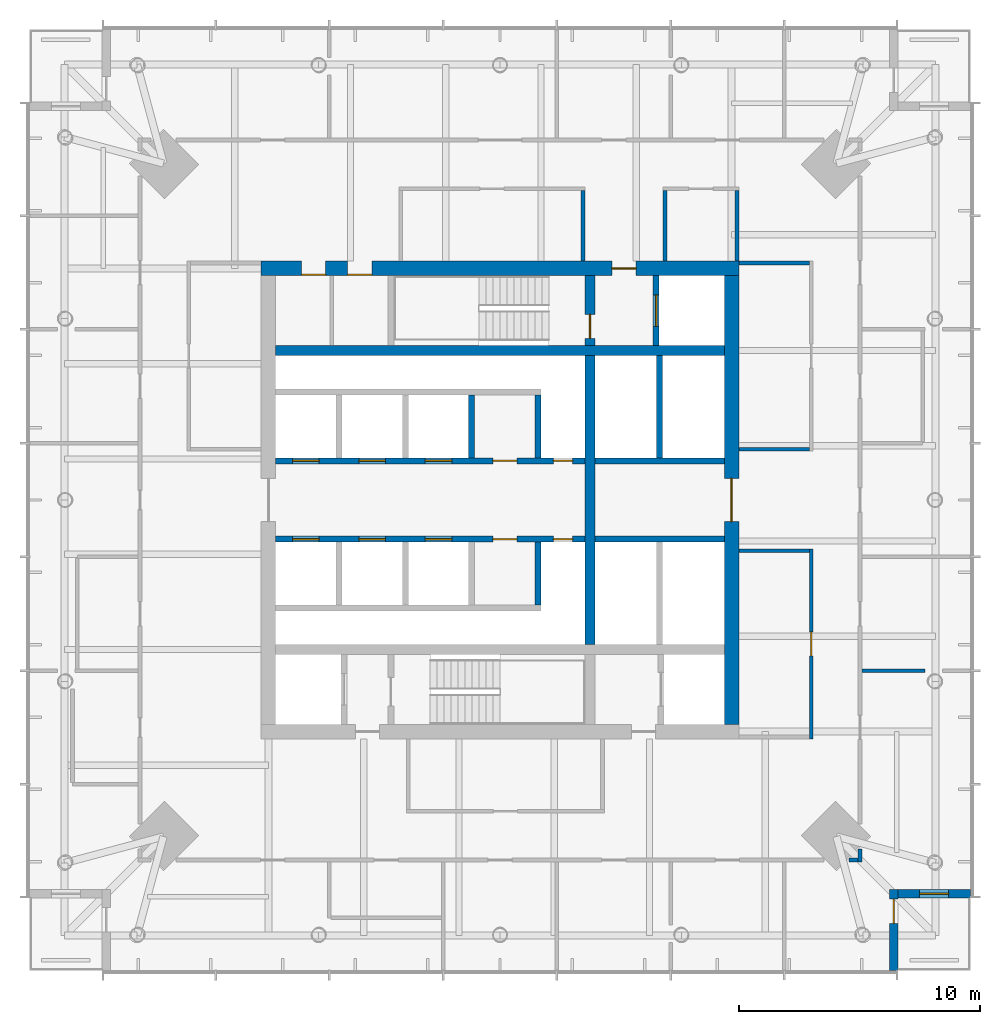
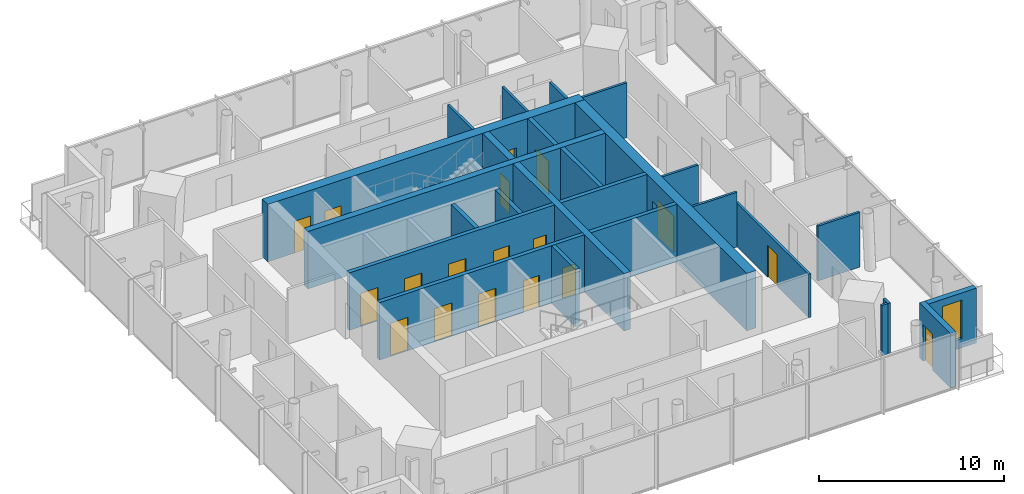
# One storey, part 6 of 9: 26 walls, 18 doors, 1 window, 19 openings.
"""IFC4 building model written with IfcOpenShell, lengths in metres."""

import ifcopenshell
import ifcopenshell.guid

model = None  # the IFC model being written
_history = None  # IfcOwnerHistory: only IFC2X3 demands one
_inside = {}  # id of a spatial element -> (the spatial element, [elements in it])
_under = {}  # id of a project, library or spatial element -> (it, [spatial elements below it])
_declared = {}  # id of a project -> (the project, [libraries it declares])
_typed = {}  # id of a type object -> (the type object, [elements of that type])
_made_of = {}  # id of a material, layer set ... -> (it, [elements and type objects made of it])


def new_model(schema):
    """Start an empty IFC model of exactly this schema.

    Asked for "IFC4X3", IfcOpenShell would pick the latest addendum, in which some entities
    have other attributes; the version numbers below select the first issue.
    IFC2X3 requires an IfcOwnerHistory on every rooted entity: one is made here for all.
    """
    global model, _history
    if schema == "IFC4X3":
        model = ifcopenshell.file(schema_version=(4, 3, 0, 0))
    else:
        model = ifcopenshell.file(schema=schema)
    _inside.clear()
    _under.clear()
    _declared.clear()
    _typed.clear()
    _made_of.clear()
    _history = None
    if model.schema == "IFC2X3":
        org = make("IfcOrganization", Name="unknown")
        user = make(
            "IfcPersonAndOrganization",
            ThePerson=make("IfcPerson", FamilyName="unknown"),
            TheOrganization=org,
        )
        app = make(
            "IfcApplication",
            ApplicationDeveloper=org,
            Version="unknown",
            ApplicationFullName="unknown",
            ApplicationIdentifier="unknown",
        )
        _history = make(
            "IfcOwnerHistory",
            OwningUser=user,
            OwningApplication=app,
            ChangeAction="ADDED",
            CreationDate=0,
        )
    return model


def make(cls, **values):
    """One entity of the class cls with the attributes given. An attribute that is None is left unset."""
    return model.create_entity(
        cls, **{name: value for name, value in values.items() if value is not None}
    )


def rooted(cls, **values):
    """An entity with a GlobalId (a new one), such as an element, a storey or a relation."""
    return make(cls, GlobalId=ifcopenshell.guid.new(), OwnerHistory=_history, **values)


def si_unit(unit_type, name, prefix=None):
    """IfcSIUnit, for example si_unit("LENGTHUNIT", "METRE", prefix="MILLI")."""
    return make("IfcSIUnit", UnitType=unit_type, Prefix=prefix, Name=name)


def assignment(units):
    """IfcUnitAssignment: the units of a project."""
    return None if units is None else make("IfcUnitAssignment", Units=units)


def point(xyz):
    """IfcCartesianPoint."""
    return None if xyz is None else make("IfcCartesianPoint", Coordinates=xyz)


def direction(xyz):
    """IfcDirection."""
    return None if xyz is None else make("IfcDirection", DirectionRatios=xyz)


def frame(location, z_axis=None, x_axis=None):
    """IfcAxis2Placement3D, a coordinate frame: its origin and axes. An axis left out is left unset."""
    return make(
        "IfcAxis2Placement3D",
        Location=point(location),
        Axis=direction(z_axis),
        RefDirection=direction(x_axis),
    )


def frame_2d(location, x_axis=None):
    """IfcAxis2Placement2D, a coordinate frame in the plane: its origin and x axis."""
    return make(
        "IfcAxis2Placement2D", Location=point(location), RefDirection=direction(x_axis)
    )


def origin():
    """The frame at (0, 0, 0) with its axes left unset."""
    return frame((0.0, 0.0, 0.0))


def place(relative_to, where):
    """IfcLocalPlacement: puts the frame where relative to a parent placement (None: the world)."""
    return make(
        "IfcLocalPlacement", PlacementRelTo=relative_to, RelativePlacement=where
    )


def context(
    kind, dimensions, precision=None, world=None, true_north=None, identifier=None
):
    """IfcGeometricRepresentationContext, for example the 3D "Model" context."""
    return make(
        "IfcGeometricRepresentationContext",
        ContextIdentifier=identifier,
        ContextType=kind,
        CoordinateSpaceDimension=dimensions,
        Precision=precision,
        WorldCoordinateSystem=world,
        TrueNorth=true_north,
    )


def subcontext(parent, identifier, kind, view, scale=None):
    """IfcGeometricRepresentationSubContext, for example "Body" below "Model"."""
    return make(
        "IfcGeometricRepresentationSubContext",
        ContextIdentifier=identifier,
        ContextType=kind,
        ParentContext=parent,
        TargetScale=scale,
        TargetView=view,
    )


def project(units=None, contexts=None):
    """IfcProject with its units and contexts."""
    return rooted(
        "IfcProject",
        Name="project",
        RepresentationContexts=contexts,
        UnitsInContext=assignment(units),
    )


def spatial(cls, under=None, at=None, **own):
    """A site, building, storey or space (cls), placed at a placement, below another one or the project."""
    s = rooted(cls, ObjectPlacement=at, **own)
    if under is not None:
        _under.setdefault(under.id(), (under, []))[1].append(s)
    return s


def profile(cls, at=None, kind="AREA", **sizes):
    """A parametric profile (cls). Its sizes go by their IFC names, for example OverallWidth=200.0."""
    return make(cls, ProfileType=kind, Position=at, **sizes)


def rectangle(**sizes):
    """IfcRectangleProfileDef."""
    return profile("IfcRectangleProfileDef", **sizes)


def extrude(swept, where, along, depth):
    """IfcExtrudedAreaSolid: the profile swept, set in the frame where, extruded along a direction by depth."""
    return make(
        "IfcExtrudedAreaSolid",
        SweptArea=swept,
        Position=where,
        ExtrudedDirection=direction(along),
        Depth=depth,
    )


def shape(context_of_items, identifier, shape_type, items):
    """IfcShapeRepresentation: the items that make up one representation, for example the "Body"."""
    return make(
        "IfcShapeRepresentation",
        ContextOfItems=context_of_items,
        RepresentationIdentifier=identifier,
        RepresentationType=shape_type,
        Items=items,
    )


def material(Name=None, Category=None):
    """IfcMaterial."""
    return make("IfcMaterial", Name=Name, Category=Category)


def layer(
    of_material, thickness, ventilated=None, Name=None, Category=None, Priority=None
):
    """IfcMaterialLayer: one layer of a wall or slab, of a material (None: an air gap)."""
    return make(
        "IfcMaterialLayer",
        Material=of_material,
        LayerThickness=thickness,
        IsVentilated=ventilated,
        Name=Name,
        Category=Category,
        Priority=Priority,
    )


def layer_set(layers, Name=None):
    """IfcMaterialLayerSet."""
    return make("IfcMaterialLayerSet", MaterialLayers=layers, LayerSetName=Name)


def made_of(thing, what):
    """Note that an element or type object is made of a material, layer set ...; save() writes the relation."""
    if what is not None:
        _made_of.setdefault(what.id(), (what, []))[1].append(thing)
    return thing


def type_object(cls, material=None, **own):
    """A type object (cls), such as IfcWallType, which elements share."""
    return made_of(rooted(cls, **own), material)


def element(
    cls,
    number,
    at=None,
    inside=None,
    cuts=None,
    type_object=None,
    material=None,
    context=None,
    identifier="Body",
    shape_type=None,
    held_by="IfcProductDefinitionShape",
    body=None,
    shapes=None,
    **own,
):
    """One element of the class cls, such as IfcWall. Its Tag is "e" and its number.

    at: its placement. inside: the storey or other place that contains it. cuts: it is an
    opening in that element (IfcRelVoidsElement). A single representation is given by context,
    identifier, shape_type and body (its items); several are given by shapes. held_by: the class
    of the entity that holds the representations. save() writes the other relations.
    """
    e = rooted(cls, Tag="e%d" % number, ObjectPlacement=at, **own)
    if body is not None:
        shapes = [shape(context, identifier, shape_type, body)]
    if shapes is not None:
        e.Representation = make(held_by, Representations=shapes)
    if inside is not None:
        _inside.setdefault(inside.id(), (inside, []))[1].append(e)
    if cuts is not None:
        rooted(
            "IfcRelVoidsElement", RelatingBuildingElement=cuts, RelatedOpeningElement=e
        )
    if type_object is not None:
        _typed.setdefault(type_object.id(), (type_object, []))[1].append(e)
    return made_of(e, material)


def fill(opening, filler):
    """IfcRelFillsElement: the door or window that sits in an opening."""
    return rooted(
        "IfcRelFillsElement",
        RelatingOpeningElement=opening,
        RelatedBuildingElement=filler,
    )


def aggregate(whole, parts):
    """IfcRelAggregates: a whole, such as a stair, and the parts it consists of."""
    return rooted("IfcRelAggregates", RelatingObject=whole, RelatedObjects=parts)


def save(model, path):
    """Write the relations noted so far, then the file.

    IfcRelAggregates (storeys below a building ...), IfcRelContainedInSpatialStructure (elements
    in a storey), IfcRelDefinesByType, IfcRelAssociatesMaterial and IfcRelDeclares: one each for
    every whole, place, type object, material and project.
    """
    for whole, parts in _under.values():
        aggregate(whole, parts)
    for where, things in _inside.values():
        rooted(
            "IfcRelContainedInSpatialStructure",
            RelatedElements=things,
            RelatingStructure=where,
        )
    for kind, things in _typed.values():
        rooted("IfcRelDefinesByType", RelatedObjects=things, RelatingType=kind)
    for what, things in _made_of.values():
        rooted("IfcRelAssociatesMaterial", RelatedObjects=things, RelatingMaterial=what)
    for by, libraries in _declared.values():
        rooted("IfcRelDeclares", RelatingContext=by, RelatedDefinitions=libraries)
    model.write(path)


model = new_model("IFC4")

# Units and contexts
model_context = context("Model", 3, precision=1e-05, world=origin(), true_north=direction((0.0, 1.0)))
body_context = subcontext(model_context, "Body", "Model", "MODEL_VIEW")
ifc_project = project(units=[si_unit("LENGTHUNIT", "METRE"), si_unit("AREAUNIT", "SQUARE_METRE"), si_unit("VOLUMEUNIT", "CUBIC_METRE"), si_unit("PLANEANGLEUNIT", "RADIAN"), si_unit("MASSUNIT", "GRAM", prefix="KILO")], contexts=[model_context])

# Site, building, storey
site_placement = place(None, origin())
site = spatial("IfcSite", under=ifc_project, at=site_placement, CompositionType="ELEMENT")
building_placement = place(site_placement, origin())
building = spatial("IfcBuilding", under=site, at=building_placement, Name="Ostroluk Exchange", CompositionType="ELEMENT")
storey_placement = place(building_placement, frame((0.0, 0.0, 207.199951171875)))
storey = spatial("IfcBuildingStorey", under=building, at=storey_placement, Name="L53", CompositionType="ELEMENT", Elevation=207.199951171875)

# Walls
ifc_material_1 = material(Name="Concrete C50/60", Category="concrete")
ifc_layer_1 = layer(ifc_material_1, 0.39990234375)
ifc_layer_set_1 = layer_set([ifc_layer_1], Name="Core cross wall 400 C50/60")
wall_type_1 = type_object("IfcWallType", Name="Core cross wall 400 C50/60", PredefinedType="SHEAR", material=ifc_layer_set_1)
wall_1_placement = place(storey_placement, frame((35.699951171875, 52.199951171875, 0.0), z_axis=(0.0, 0.0, 1.0), x_axis=(1.0, 0.0, 0.0)))
element("IfcWall", 1, at=wall_1_placement, inside=storey, type_object=wall_type_1, Name="T1 core wall XN", PredefinedType="SHEAR", context=body_context, shape_type="SweptSolid", body=[
    extrude(rectangle(XDim=18.60009765625, YDim=0.39990234375, at=frame_2d((9.300048828125, 0.0))), origin(), (0.0, 0.0, 1.0), 3.800048828125),
])
wall_2_placement = place(storey_placement, frame((48.72998046875, 40.0, 0.0), z_axis=(0.0, 0.0, 1.0), x_axis=(0.0, 1.0, 0.0)))
element("IfcWall", 2, at=wall_2_placement, inside=storey, type_object=wall_type_1, Name="T1 core wall YE2", PredefinedType="SHEAR", context=body_context, shape_type="SweptSolid", body=[
    extrude(rectangle(XDim=12.0, YDim=0.39990234375, at=frame_2d((6.0, 0.0))), origin(), (0.0, 0.0, 1.0), 3.800048828125),
])

# Wall, opening, door
wall_3_placement = place(storey_placement, frame((48.72998046875, 52.39990234375, 0.0), z_axis=(0.0, 0.0, 1.0), x_axis=(0.0, 1.0, 0.0)))
wall_3 = element("IfcWall", 3, at=wall_3_placement, inside=storey, type_object=wall_type_1, Name="T1 core wall YE3", PredefinedType="SHEAR", context=body_context, shape_type="SweptSolid", body=[
    extrude(rectangle(XDim=2.900146484375, YDim=0.39990234375, at=frame_2d((1.4501953125, 0.0))), origin(), (0.0, 0.0, 1.0), 3.800048828125),
])
opening_1_placement = place(wall_3_placement, frame((0.300048828125, 0.0, 0.0)))
opening_1 = element("IfcOpeningElement", 4, at=opening_1_placement, cuts=wall_3, Name="Opening FD60", PredefinedType="OPENING", context=body_context, shape_type="SweptSolid", body=[
    extrude(rectangle(XDim=1.0, YDim=2.10009765625, at=frame_2d((0.5, 1.050048828125))), frame((0.0, 0.2099609375, 0.0), z_axis=(0.0, -1.0, 0.0), x_axis=(1.0, 0.0, 0.0)), (0.0, 0.0, 1.0), 0.419921875),
])
ifc_material_2 = material(Name="Steel", Category="steel")
door_type_1 = type_object("IfcDoorType", Name="Fire door EI 60 1000 x 2100", OperationType="SINGLE_SWING_LEFT", PredefinedType="DOOR", material=ifc_material_2)
door_1_placement = place(opening_1_placement, origin())
door_1 = element("IfcDoor", 5, at=door_1_placement, inside=storey, type_object=door_type_1, Name="Stair T1-S2 door", OperationType="SINGLE_SWING_LEFT", OverallHeight=2.10009765625, OverallWidth=1.0, PredefinedType="DOOR", context=body_context, shape_type="SweptSolid", body=[
    extrude(rectangle(XDim=1.0, YDim=2.10009765625, at=frame_2d((0.5, 1.050048828125))), frame((0.0, 0.02490234375, 0.0), z_axis=(0.0, -1.0, 0.0), x_axis=(1.0, 0.0, 0.0)), (0.0, 0.0, 1.0), 0.050048828125),
])
fill(opening_1, door_1)

ifc_material_3 = material(Name="Concrete C40/50", Category="concrete")
ifc_layer_2 = layer(ifc_material_3, 0.25)
ifc_layer_set_2 = layer_set([ifc_layer_2], Name="Core shaft wall 250")
wall_type_2 = type_object("IfcWallType", Name="Core shaft wall 250", PredefinedType="SHEAR", material=ifc_layer_set_2)
wall_4_placement = place(storey_placement, frame((51.47509765625, 52.39990234375, 0.0), z_axis=(0.0, 0.0, 1.0), x_axis=(0.0, 1.0, 0.0)))
wall_4 = element("IfcWall", 6, at=wall_4_placement, inside=storey, type_object=wall_type_2, Name="Firefighting lift shaft wall", PredefinedType="SHEAR", context=body_context, shape_type="SweptSolid", body=[
    extrude(rectangle(XDim=2.900146484375, YDim=0.25, at=frame_2d((1.4501953125, 0.0))), origin(), (0.0, 0.0, 1.0), 3.800048828125),
])
opening_2_placement = place(wall_4_placement, frame((0.800048828125, 0.0, 0.0)))
opening_2 = element("IfcOpeningElement", 7, at=opening_2_placement, cuts=wall_4, Name="Opening LD2", PredefinedType="OPENING", context=body_context, shape_type="SweptSolid", body=[
    extrude(rectangle(XDim=1.300048828125, YDim=2.199951171875, at=frame_2d((0.64990234375, 1.10009765625))), frame((0.0, 0.135009765625, 0.0), z_axis=(0.0, -1.0, 0.0), x_axis=(1.0, 0.0, 0.0)), (0.0, 0.0, 1.0), 0.27001953125),
])
ifc_material_4 = material(Name="Stainless steel", Category="steel")
door_type_2 = type_object("IfcDoorType", Name="Lift landing door E 60 1300 x 2200", OperationType="DOUBLE_DOOR_SLIDING", PredefinedType="DOOR", material=ifc_material_4)
door_2_placement = place(opening_2_placement, origin())
door_2 = element("IfcDoor", 8, at=door_2_placement, inside=storey, type_object=door_type_2, Name="Lift FL2 landing door", OperationType="DOUBLE_DOOR_SLIDING", OverallHeight=2.199951171875, OverallWidth=1.300048828125, PredefinedType="DOOR", context=body_context, shape_type="SweptSolid", body=[
    extrude(rectangle(XDim=1.300048828125, YDim=2.199951171875, at=frame_2d((0.64990234375, 1.10009765625))), frame((0.0, 0.02490234375, 0.0), z_axis=(0.0, -1.0, 0.0), x_axis=(1.0, 0.0, 0.0)), (0.0, 0.0, 1.0), 0.050048828125),
])
fill(opening_2, door_2)

# Walls
for number, where, z_axis, x_axis, name in (
    (9, (43.824951171875, 47.75, 0.0), (0.0, 0.0, 1.0), (0.0, 1.0, 0.0), "Lift shaft wall"),
    (10, (46.574951171875, 47.75, 0.0), (0.0, 0.0, 1.0), (0.0, 1.0, 0.0), "Lift shaft wall"),
):
    element("IfcWall", number, at=place(storey_placement, frame(where, z_axis=z_axis, x_axis=x_axis)), inside=storey, type_object=wall_type_2, Name=name, PredefinedType="SHEAR", context=body_context, shape_type="SweptSolid", body=[
        extrude(rectangle(XDim=2.60009765625, YDim=0.25, at=frame_2d((1.300048828125, 0.0))), origin(), (0.0, 0.0, 1.0), 3.800048828125),
    ])

# Wall, openings, doors
wall_5_placement = place(storey_placement, frame((35.699951171875, 47.625, 0.0), z_axis=(0.0, 0.0, 1.0), x_axis=(1.0, 0.0, 0.0)))
wall_5 = element("IfcWall", 11, at=wall_5_placement, inside=storey, type_object=wall_type_2, Name="Lift shaft front wall", PredefinedType="SHEAR", context=body_context, shape_type="SweptSolid", body=[
    extrude(rectangle(XDim=12.830078125, YDim=0.25, at=frame_2d((6.4150390625, 0.0))), origin(), (0.0, 0.0, 1.0), 3.800048828125),
])
opening_3_placement = place(wall_5_placement, frame((0.699951171875, 0.0, 0.0)))
opening_3 = element("IfcOpeningElement", 12, at=opening_3_placement, cuts=wall_5, Name="Opening LD", PredefinedType="OPENING", context=body_context, shape_type="SweptSolid", body=[
    extrude(rectangle(XDim=1.10009765625, YDim=2.199951171875, at=frame_2d((0.550048828125, 1.10009765625))), frame((0.0, 0.135009765625, 0.0), z_axis=(0.0, -1.0, 0.0), x_axis=(1.0, 0.0, 0.0)), (0.0, 0.0, 1.0), 0.27001953125),
])
opening_4_placement = place(wall_5_placement, frame((3.449951171875, 0.0, 0.0)))
opening_4 = element("IfcOpeningElement", 13, at=opening_4_placement, cuts=wall_5, Name="Opening LD", PredefinedType="OPENING", context=body_context, shape_type="SweptSolid", body=[
    extrude(rectangle(XDim=1.10009765625, YDim=2.199951171875, at=frame_2d((0.550048828125, 1.10009765625))), frame((0.0, 0.135009765625, 0.0), z_axis=(0.0, -1.0, 0.0), x_axis=(1.0, 0.0, 0.0)), (0.0, 0.0, 1.0), 0.27001953125),
])
opening_5_placement = place(wall_5_placement, frame((6.199951171875, 0.0, 0.0)))
opening_5 = element("IfcOpeningElement", 14, at=opening_5_placement, cuts=wall_5, Name="Opening LD", PredefinedType="OPENING", context=body_context, shape_type="SweptSolid", body=[
    extrude(rectangle(XDim=1.10009765625, YDim=2.199951171875, at=frame_2d((0.550048828125, 1.10009765625))), frame((0.0, 0.135009765625, 0.0), z_axis=(0.0, -1.0, 0.0), x_axis=(1.0, 0.0, 0.0)), (0.0, 0.0, 1.0), 0.27001953125),
])
opening_6_placement = place(wall_5_placement, frame((9.0, 0.0, 0.0)))
opening_6 = element("IfcOpeningElement", 15, at=opening_6_placement, cuts=wall_5, Name="Opening FD60", PredefinedType="OPENING", context=body_context, shape_type="SweptSolid", body=[
    extrude(rectangle(XDim=1.0, YDim=2.10009765625, at=frame_2d((0.5, 1.050048828125))), frame((0.0, 0.135009765625, 0.0), z_axis=(0.0, -1.0, 0.0), x_axis=(1.0, 0.0, 0.0)), (0.0, 0.0, 1.0), 0.27001953125),
])
opening_7_placement = place(wall_5_placement, frame((11.514892578125, 0.0, 0.0)))
opening_7 = element("IfcOpeningElement", 16, at=opening_7_placement, cuts=wall_5, Name="Opening RD60", PredefinedType="OPENING", context=body_context, shape_type="SweptSolid", body=[
    extrude(rectangle(XDim=0.800048828125, YDim=2.0, at=frame_2d((0.39990234375, 1.0))), frame((0.0, 0.135009765625, 0.0), z_axis=(0.0, -1.0, 0.0), x_axis=(1.0, 0.0, 0.0)), (0.0, 0.0, 1.0), 0.27001953125),
])
door_3_placement = place(opening_6_placement, origin())
door_3 = element("IfcDoor", 17, at=door_3_placement, inside=storey, type_object=door_type_1, Name="Core room door", OperationType="SINGLE_SWING_RIGHT", OverallHeight=2.10009765625, OverallWidth=1.0, PredefinedType="DOOR", context=body_context, shape_type="SweptSolid", body=[
    extrude(rectangle(XDim=1.0, YDim=2.10009765625, at=frame_2d((0.5, 1.050048828125))), frame((0.0, 0.02490234375, 0.0), z_axis=(0.0, -1.0, 0.0), x_axis=(1.0, 0.0, 0.0)), (0.0, 0.0, 1.0), 0.050048828125),
])
fill(opening_6, door_3)
ifc_material_5 = material(Name="Stainless steel", Category="steel")
door_type_3 = type_object("IfcDoorType", Name="Lift landing door E 60 1100 x 2200", OperationType="DOUBLE_DOOR_SLIDING", PredefinedType="DOOR", material=ifc_material_5)
door_4_placement = place(opening_3_placement, origin())
door_4 = element("IfcDoor", 18, at=door_4_placement, inside=storey, type_object=door_type_3, Name="Lift PL-H1 landing door", OperationType="DOUBLE_DOOR_SLIDING", OverallHeight=2.199951171875, OverallWidth=1.10009765625, PredefinedType="DOOR", context=body_context, shape_type="SweptSolid", body=[
    extrude(rectangle(XDim=1.10009765625, YDim=2.199951171875, at=frame_2d((0.550048828125, 1.10009765625))), frame((0.0, 0.02490234375, 0.0), z_axis=(0.0, -1.0, 0.0), x_axis=(1.0, 0.0, 0.0)), (0.0, 0.0, 1.0), 0.050048828125),
])
fill(opening_3, door_4)
door_5_placement = place(opening_4_placement, origin())
door_5 = element("IfcDoor", 19, at=door_5_placement, inside=storey, type_object=door_type_3, Name="Lift PL-H2 landing door", OperationType="DOUBLE_DOOR_SLIDING", OverallHeight=2.199951171875, OverallWidth=1.10009765625, PredefinedType="DOOR", context=body_context, shape_type="SweptSolid", body=[
    extrude(rectangle(XDim=1.10009765625, YDim=2.199951171875, at=frame_2d((0.550048828125, 1.10009765625))), frame((0.0, 0.02490234375, 0.0), z_axis=(0.0, -1.0, 0.0), x_axis=(1.0, 0.0, 0.0)), (0.0, 0.0, 1.0), 0.050048828125),
])
fill(opening_4, door_5)
door_6_placement = place(opening_5_placement, origin())
door_6 = element("IfcDoor", 20, at=door_6_placement, inside=storey, type_object=door_type_3, Name="Lift PL-H3 landing door", OperationType="DOUBLE_DOOR_SLIDING", OverallHeight=2.199951171875, OverallWidth=1.10009765625, PredefinedType="DOOR", context=body_context, shape_type="SweptSolid", body=[
    extrude(rectangle(XDim=1.10009765625, YDim=2.199951171875, at=frame_2d((0.550048828125, 1.10009765625))), frame((0.0, 0.02490234375, 0.0), z_axis=(0.0, -1.0, 0.0), x_axis=(1.0, 0.0, 0.0)), (0.0, 0.0, 1.0), 0.050048828125),
])
fill(opening_5, door_6)
ifc_material_6 = material(Name="Steel", Category="steel")
door_type_4 = type_object("IfcDoorType", Name="Riser access door EI 60 800 x 2000", OperationType="SINGLE_SWING_LEFT", PredefinedType="DOOR", material=ifc_material_6)
door_7_placement = place(opening_7_placement, origin())
door_7 = element("IfcDoor", 21, at=door_7_placement, inside=storey, type_object=door_type_4, Name="Riser access door", OperationType="SINGLE_SWING_RIGHT", OverallHeight=2.0, OverallWidth=0.800048828125, PredefinedType="DOOR", context=body_context, shape_type="SweptSolid", body=[
    extrude(rectangle(XDim=0.800048828125, YDim=2.0, at=frame_2d((0.39990234375, 1.0))), frame((0.0, 0.02490234375, 0.0), z_axis=(0.0, -1.0, 0.0), x_axis=(1.0, 0.0, 0.0)), (0.0, 0.0, 1.0), 0.050048828125),
])
fill(opening_7, door_7)

# Wall
wall_6_placement = place(storey_placement, frame((46.574951171875, 44.25, 0.0), z_axis=(0.0, 0.0, 1.0), x_axis=(0.0, -1.0, 0.0)))
element("IfcWall", 22, at=wall_6_placement, inside=storey, type_object=wall_type_2, Name="Lift shaft wall", PredefinedType="SHEAR", context=body_context, shape_type="SweptSolid", body=[
    extrude(rectangle(XDim=2.60009765625, YDim=0.25, at=frame_2d((1.300048828125, 0.0))), origin(), (0.0, 0.0, 1.0), 3.800048828125),
])

# Wall, openings, doors
wall_7_placement = place(storey_placement, frame((35.699951171875, 44.375, 0.0), z_axis=(0.0, 0.0, 1.0), x_axis=(1.0, 0.0, 0.0)))
wall_7 = element("IfcWall", 23, at=wall_7_placement, inside=storey, type_object=wall_type_2, Name="Lift shaft front wall", PredefinedType="SHEAR", context=body_context, shape_type="SweptSolid", body=[
    extrude(rectangle(XDim=12.830078125, YDim=0.25, at=frame_2d((6.4150390625, 0.0))), origin(), (0.0, 0.0, 1.0), 3.800048828125),
])
opening_8_placement = place(wall_7_placement, frame((0.699951171875, 0.0, 0.0)))
opening_8 = element("IfcOpeningElement", 24, at=opening_8_placement, cuts=wall_7, Name="Opening LD", PredefinedType="OPENING", context=body_context, shape_type="SweptSolid", body=[
    extrude(rectangle(XDim=1.10009765625, YDim=2.199951171875, at=frame_2d((0.550048828125, 1.10009765625))), frame((0.0, 0.135009765625, 0.0), z_axis=(0.0, -1.0, 0.0), x_axis=(1.0, 0.0, 0.0)), (0.0, 0.0, 1.0), 0.27001953125),
])
opening_9_placement = place(wall_7_placement, frame((3.449951171875, 0.0, 0.0)))
opening_9 = element("IfcOpeningElement", 25, at=opening_9_placement, cuts=wall_7, Name="Opening LD", PredefinedType="OPENING", context=body_context, shape_type="SweptSolid", body=[
    extrude(rectangle(XDim=1.10009765625, YDim=2.199951171875, at=frame_2d((0.550048828125, 1.10009765625))), frame((0.0, 0.135009765625, 0.0), z_axis=(0.0, -1.0, 0.0), x_axis=(1.0, 0.0, 0.0)), (0.0, 0.0, 1.0), 0.27001953125),
])
opening_10_placement = place(wall_7_placement, frame((6.199951171875, 0.0, 0.0)))
opening_10 = element("IfcOpeningElement", 26, at=opening_10_placement, cuts=wall_7, Name="Opening LD", PredefinedType="OPENING", context=body_context, shape_type="SweptSolid", body=[
    extrude(rectangle(XDim=1.10009765625, YDim=2.199951171875, at=frame_2d((0.550048828125, 1.10009765625))), frame((0.0, 0.135009765625, 0.0), z_axis=(0.0, -1.0, 0.0), x_axis=(1.0, 0.0, 0.0)), (0.0, 0.0, 1.0), 0.27001953125),
])
opening_11_placement = place(wall_7_placement, frame((9.0, 0.0, 0.0)))
opening_11 = element("IfcOpeningElement", 27, at=opening_11_placement, cuts=wall_7, Name="Opening FD60", PredefinedType="OPENING", context=body_context, shape_type="SweptSolid", body=[
    extrude(rectangle(XDim=1.0, YDim=2.10009765625, at=frame_2d((0.5, 1.050048828125))), frame((0.0, 0.135009765625, 0.0), z_axis=(0.0, -1.0, 0.0), x_axis=(1.0, 0.0, 0.0)), (0.0, 0.0, 1.0), 0.27001953125),
])
opening_12_placement = place(wall_7_placement, frame((11.514892578125, 0.0, 0.0)))
opening_12 = element("IfcOpeningElement", 28, at=opening_12_placement, cuts=wall_7, Name="Opening RD60", PredefinedType="OPENING", context=body_context, shape_type="SweptSolid", body=[
    extrude(rectangle(XDim=0.800048828125, YDim=2.0, at=frame_2d((0.39990234375, 1.0))), frame((0.0, 0.135009765625, 0.0), z_axis=(0.0, -1.0, 0.0), x_axis=(1.0, 0.0, 0.0)), (0.0, 0.0, 1.0), 0.27001953125),
])
door_8_placement = place(opening_11_placement, origin())
door_8 = element("IfcDoor", 29, at=door_8_placement, inside=storey, type_object=door_type_1, Name="Core room door", OperationType="SINGLE_SWING_RIGHT", OverallHeight=2.10009765625, OverallWidth=1.0, PredefinedType="DOOR", context=body_context, shape_type="SweptSolid", body=[
    extrude(rectangle(XDim=1.0, YDim=2.10009765625, at=frame_2d((0.5, 1.050048828125))), frame((0.0, 0.02490234375, 0.0), z_axis=(0.0, -1.0, 0.0), x_axis=(1.0, 0.0, 0.0)), (0.0, 0.0, 1.0), 0.050048828125),
])
fill(opening_11, door_8)
door_9_placement = place(opening_8_placement, origin())
door_9 = element("IfcDoor", 30, at=door_9_placement, inside=storey, type_object=door_type_3, Name="Lift PL-H4 landing door", OperationType="DOUBLE_DOOR_SLIDING", OverallHeight=2.199951171875, OverallWidth=1.10009765625, PredefinedType="DOOR", context=body_context, shape_type="SweptSolid", body=[
    extrude(rectangle(XDim=1.10009765625, YDim=2.199951171875, at=frame_2d((0.550048828125, 1.10009765625))), frame((0.0, 0.02490234375, 0.0), z_axis=(0.0, -1.0, 0.0), x_axis=(1.0, 0.0, 0.0)), (0.0, 0.0, 1.0), 0.050048828125),
])
fill(opening_8, door_9)
door_10_placement = place(opening_9_placement, origin())
door_10 = element("IfcDoor", 31, at=door_10_placement, inside=storey, type_object=door_type_3, Name="Lift PL-H5 landing door", OperationType="DOUBLE_DOOR_SLIDING", OverallHeight=2.199951171875, OverallWidth=1.10009765625, PredefinedType="DOOR", context=body_context, shape_type="SweptSolid", body=[
    extrude(rectangle(XDim=1.10009765625, YDim=2.199951171875, at=frame_2d((0.550048828125, 1.10009765625))), frame((0.0, 0.02490234375, 0.0), z_axis=(0.0, -1.0, 0.0), x_axis=(1.0, 0.0, 0.0)), (0.0, 0.0, 1.0), 0.050048828125),
])
fill(opening_9, door_10)
door_11_placement = place(opening_10_placement, origin())
door_11 = element("IfcDoor", 32, at=door_11_placement, inside=storey, type_object=door_type_3, Name="Lift PL-H6 landing door", OperationType="DOUBLE_DOOR_SLIDING", OverallHeight=2.199951171875, OverallWidth=1.10009765625, PredefinedType="DOOR", context=body_context, shape_type="SweptSolid", body=[
    extrude(rectangle(XDim=1.10009765625, YDim=2.199951171875, at=frame_2d((0.550048828125, 1.10009765625))), frame((0.0, 0.02490234375, 0.0), z_axis=(0.0, -1.0, 0.0), x_axis=(1.0, 0.0, 0.0)), (0.0, 0.0, 1.0), 0.050048828125),
])
fill(opening_10, door_11)
door_12_placement = place(opening_12_placement, origin())
door_12 = element("IfcDoor", 33, at=door_12_placement, inside=storey, type_object=door_type_4, Name="Riser access door", OperationType="SINGLE_SWING_RIGHT", OverallHeight=2.0, OverallWidth=0.800048828125, PredefinedType="DOOR", context=body_context, shape_type="SweptSolid", body=[
    extrude(rectangle(XDim=0.800048828125, YDim=2.0, at=frame_2d((0.39990234375, 1.0))), frame((0.0, 0.02490234375, 0.0), z_axis=(0.0, -1.0, 0.0), x_axis=(1.0, 0.0, 0.0)), (0.0, 0.0, 1.0), 0.050048828125),
])
fill(opening_12, door_12)

# Walls
wall_8_placement = place(storey_placement, frame((51.614990234375, 47.75, 0.0), z_axis=(0.0, 0.0, 1.0), x_axis=(0.0, 1.0, 0.0)))
element("IfcWall", 34, at=wall_8_placement, inside=storey, type_object=wall_type_2, Name="Lift shaft wall", PredefinedType="SHEAR", context=body_context, shape_type="SweptSolid", body=[
    extrude(rectangle(XDim=4.25, YDim=0.25, at=frame_2d((2.125, 0.0))), origin(), (0.0, 0.0, 1.0), 3.800048828125),
])
for number, where, z_axis, x_axis, name in (
    (35, (48.929931640625, 47.625, 0.0), (0.0, 0.0, 1.0), (1.0, 0.0, 0.0), "Lift shaft front wall"),
    (36, (48.929931640625, 44.375, 0.0), (0.0, 0.0, 1.0), (1.0, 0.0, 0.0), "Lift shaft front wall"),
):
    element("IfcWall", number, at=place(storey_placement, frame(where, z_axis=z_axis, x_axis=x_axis)), inside=storey, type_object=wall_type_2, Name=name, PredefinedType="SHEAR", context=body_context, shape_type="SweptSolid", body=[
        extrude(rectangle(XDim=5.3701171875, YDim=0.25, at=frame_2d((2.68505859375, 0.0))), origin(), (0.0, 0.0, 1.0), 3.800048828125),
    ])

# Wall, openings, doors
ifc_material_7 = material(Name="Concrete C50/60", Category="concrete")
ifc_layer_3 = layer(ifc_material_7, 0.60009765625)
ifc_layer_set_3 = layer_set([ifc_layer_3], Name="Core wall 600 C50/60")
wall_type_3 = type_object("IfcWallType", Name="Core wall 600 C50/60", PredefinedType="SHEAR", material=ifc_layer_set_3)
wall_9_placement = place(storey_placement, frame((35.10009765625, 55.60009765625, 0.0), z_axis=(0.0, 0.0, 1.0), x_axis=(1.0, 0.0, 0.0)))
wall_9 = element("IfcWall", 37, at=wall_9_placement, inside=storey, type_object=wall_type_3, Name="T1 core wall N", PredefinedType="SHEAR", context=body_context, shape_type="SweptSolid", body=[
    extrude(rectangle(XDim=19.7998046875, YDim=0.60009765625, at=frame_2d((9.89990234375, 0.0))), origin(), (0.0, 0.0, 1.0), 3.800048828125),
])
opening_13_placement = place(wall_9_placement, frame((14.5400390625, 0.0, 0.0)))
opening_13 = element("IfcOpeningElement", 38, at=opening_13_placement, cuts=wall_9, Name="Opening FD60", PredefinedType="OPENING", context=body_context, shape_type="SweptSolid", body=[
    extrude(rectangle(XDim=1.0, YDim=2.10009765625, at=frame_2d((0.5, 1.050048828125))), frame((0.0, 0.31005859375, 0.0), z_axis=(0.0, -1.0, 0.0), x_axis=(1.0, 0.0, 0.0)), (0.0, 0.0, 1.0), 0.6201171875),
])
opening_14_placement = place(wall_9_placement, frame((1.675048828125, 0.0, 0.0)))
opening_14 = element("IfcOpeningElement", 39, at=opening_14_placement, cuts=wall_9, Name="Opening FD60", PredefinedType="OPENING", context=body_context, shape_type="SweptSolid", body=[
    extrude(rectangle(XDim=1.0, YDim=2.10009765625, at=frame_2d((0.5, 1.050048828125))), frame((0.0, 0.31005859375, 0.0), z_axis=(0.0, -1.0, 0.0), x_axis=(1.0, 0.0, 0.0)), (0.0, 0.0, 1.0), 0.6201171875),
])
opening_15_placement = place(wall_9_placement, frame((3.58740234375, 0.0, 0.0)))
opening_15 = element("IfcOpeningElement", 40, at=opening_15_placement, cuts=wall_9, Name="Opening FD60", PredefinedType="OPENING", context=body_context, shape_type="SweptSolid", body=[
    extrude(rectangle(XDim=1.0, YDim=2.10009765625, at=frame_2d((0.5, 1.050048828125))), frame((0.0, 0.31005859375, 0.0), z_axis=(0.0, -1.0, 0.0), x_axis=(1.0, 0.0, 0.0)), (0.0, 0.0, 1.0), 0.6201171875),
])
door_13_placement = place(opening_13_placement, origin())
door_13 = element("IfcDoor", 41, at=door_13_placement, inside=storey, type_object=door_type_1, Name="Firefighting lobby door", OperationType="SINGLE_SWING_RIGHT", OverallHeight=2.10009765625, OverallWidth=1.0, PredefinedType="DOOR", context=body_context, shape_type="SweptSolid", body=[
    extrude(rectangle(XDim=1.0, YDim=2.10009765625, at=frame_2d((0.5, 1.050048828125))), frame((0.0, 0.02490234375, 0.0), z_axis=(0.0, -1.0, 0.0), x_axis=(1.0, 0.0, 0.0)), (0.0, 0.0, 1.0), 0.050048828125),
])
fill(opening_13, door_13)
door_14_placement = place(opening_14_placement, origin())
door_14 = element("IfcDoor", 42, at=door_14_placement, inside=storey, type_object=door_type_1, Name="Tea point door", OperationType="SINGLE_SWING_LEFT", OverallHeight=2.10009765625, OverallWidth=1.0, PredefinedType="DOOR", context=body_context, shape_type="SweptSolid", body=[
    extrude(rectangle(XDim=1.0, YDim=2.10009765625, at=frame_2d((0.5, 1.050048828125))), frame((0.0, -0.23974609375, 0.0), z_axis=(0.0, -1.0, 0.0), x_axis=(1.0, 0.0, 0.0)), (0.0, 0.0, 1.0), 0.050048828125),
])
fill(opening_14, door_14)
door_15_placement = place(opening_15_placement, origin())
door_15 = element("IfcDoor", 43, at=door_15_placement, inside=storey, type_object=door_type_1, Name="Print and post room door", OperationType="SINGLE_SWING_LEFT", OverallHeight=2.10009765625, OverallWidth=1.0, PredefinedType="DOOR", context=body_context, shape_type="SweptSolid", body=[
    extrude(rectangle(XDim=1.0, YDim=2.10009765625, at=frame_2d((0.5, 1.050048828125))), frame((0.0, -0.23974609375, 0.0), z_axis=(0.0, -1.0, 0.0), x_axis=(1.0, 0.0, 0.0)), (0.0, 0.0, 1.0), 0.050048828125),
])
fill(opening_15, door_15)

# Wall, opening, door
wall_10_placement = place(storey_placement, frame((54.60009765625, 36.699951171875, 0.0), z_axis=(0.0, 0.0, 1.0), x_axis=(0.0, 1.0, 0.0)))
wall_10 = element("IfcWall", 44, at=wall_10_placement, inside=storey, type_object=wall_type_3, Name="T1 core wall E", PredefinedType="SHEAR", context=body_context, shape_type="SweptSolid", body=[
    extrude(rectangle(XDim=18.60009765625, YDim=0.60009765625, at=frame_2d((9.300048828125, 0.0))), origin(), (0.0, 0.0, 1.0), 3.800048828125),
])
opening_16_placement = place(wall_10_placement, frame((8.39990234375, 0.0, 0.0)))
opening_16 = element("IfcOpeningElement", 45, at=opening_16_placement, cuts=wall_10, Name="Opening FD30D", PredefinedType="OPENING", context=body_context, shape_type="SweptSolid", body=[
    extrude(rectangle(XDim=1.800048828125, YDim=2.39990234375, at=frame_2d((0.89990234375, 1.199951171875))), frame((0.0, 0.31005859375, 0.0), z_axis=(0.0, -1.0, 0.0), x_axis=(1.0, 0.0, 0.0)), (0.0, 0.0, 1.0), 0.6201171875),
])
ifc_material_8 = material(Name="Timber", Category="wood")
door_type_5 = type_object("IfcDoorType", Name="Lobby double door EI 30 1800 x 2400", OperationType="DOUBLE_DOOR_SINGLE_SWING", PredefinedType="DOOR", material=ifc_material_8)
door_16_placement = place(opening_16_placement, origin())
door_16 = element("IfcDoor", 46, at=door_16_placement, inside=storey, type_object=door_type_5, Name="Lift lobby doors", OperationType="DOUBLE_DOOR_SINGLE_SWING", OverallHeight=2.39990234375, OverallWidth=1.800048828125, PredefinedType="DOOR", context=body_context, shape_type="SweptSolid", body=[
    extrude(rectangle(XDim=1.800048828125, YDim=2.39990234375, at=frame_2d((0.89990234375, 1.199951171875))), frame((0.0, 0.02490234375, 0.0), z_axis=(0.0, -1.0, 0.0), x_axis=(1.0, 0.0, 0.0)), (0.0, 0.0, 1.0), 0.050048828125),
])
fill(opening_16, door_16)

ifc_material_9 = material(Name="Limestone", Category="masonry")
ifc_layer_4 = layer(ifc_material_9, 0.35009765625)
ifc_layer_set_4 = layer_set([ifc_layer_4], Name="Limestone facade wall 350")
wall_type_4 = type_object("IfcWallType", Name="Limestone facade wall 350", PredefinedType="SOLIDWALL", material=ifc_layer_set_4)
wall_11_placement = place(storey_placement, frame((61.324951171875, 26.5, 0.0), z_axis=(0.0, 0.0, 1.0), x_axis=(0.0, 1.0, 0.0)))
wall_11 = element("IfcWall", 47, at=wall_11_placement, inside=storey, type_object=wall_type_4, Name="Office tower SE corner wall L53 a", PredefinedType="SOLIDWALL", context=body_context, shape_type="SweptSolid", body=[
    extrude(rectangle(XDim=3.35009765625, YDim=0.35009765625, at=frame_2d((1.675048828125, 0.0))), origin(), (0.0, 0.0, 1.0), 3.6201171875),
])
opening_17_placement = place(wall_11_placement, frame((1.949951171875, 0.0, 0.0)))
opening_17 = element("IfcOpeningElement", 48, at=opening_17_placement, cuts=wall_11, Name="Opening D-B1", PredefinedType="OPENING", context=body_context, shape_type="SweptSolid", body=[
    extrude(rectangle(XDim=1.0, YDim=2.39990234375, at=frame_2d((0.5, 1.199951171875))), frame((0.0, 0.18505859375, 0.0), z_axis=(0.0, -1.0, 0.0), x_axis=(1.0, 0.0, 0.0)), (0.0, 0.0, 1.0), 0.3701171875),
])
ifc_material_10 = material(Name="Bronze framed glazed door", Category="aluminium")
door_type_6 = type_object("IfcDoorType", Name="Balcony door 1000 x 2400", OperationType="SINGLE_SWING_LEFT", PredefinedType="DOOR", material=ifc_material_10)
door_17_placement = place(opening_17_placement, origin())
door_17 = element("IfcDoor", 49, at=door_17_placement, inside=storey, type_object=door_type_6, Name="Office tower SE balcony door L53", OperationType="SINGLE_SWING_RIGHT", OverallHeight=2.39990234375, OverallWidth=1.0, PredefinedType="DOOR", context=body_context, shape_type="SweptSolid", body=[
    extrude(rectangle(XDim=1.0, YDim=2.39990234375, at=frame_2d((0.5, 1.199951171875))), frame((0.0, 0.02490234375, 0.0), z_axis=(0.0, -1.0, 0.0), x_axis=(1.0, 0.0, 0.0)), (0.0, 0.0, 1.0), 0.050048828125),
])
fill(opening_17, door_17)

# Wall, opening, window
wall_12_placement = place(storey_placement, frame((61.5, 29.675048828125, 0.0), z_axis=(0.0, 0.0, 1.0), x_axis=(1.0, 0.0, 0.0)))
wall_12 = element("IfcWall", 50, at=wall_12_placement, inside=storey, type_object=wall_type_4, Name="Office tower SE corner wall L53 b", PredefinedType="SOLIDWALL", context=body_context, shape_type="SweptSolid", body=[
    extrude(rectangle(XDim=3.0, YDim=0.35009765625, at=frame_2d((1.5, 0.0))), origin(), (0.0, 0.0, 1.0), 3.6201171875),
])
opening_18_placement = place(wall_12_placement, frame((0.89990234375, 0.0, 0.60009765625)))
opening_18 = element("IfcOpeningElement", 51, at=opening_18_placement, cuts=wall_12, Name="Opening WN-L1", PredefinedType="OPENING", context=body_context, shape_type="SweptSolid", body=[
    extrude(rectangle(XDim=1.199951171875, YDim=2.550048828125, at=frame_2d((0.60009765625, 1.27490234375))), frame((0.0, 0.18505859375, 0.0), z_axis=(0.0, -1.0, 0.0), x_axis=(1.0, 0.0, 0.0)), (0.0, 0.0, 1.0), 0.3701171875),
])
ifc_material_11 = material(Name="Laminated clear glass", Category="glass")
window_type = type_object("IfcWindowType", Name="Lancet window 1200 x 2550", PartitioningType="SINGLE_PANEL", PredefinedType="WINDOW", material=ifc_material_11)
window_placement = place(opening_18_placement, origin())
window = element("IfcWindow", 52, at=window_placement, inside=storey, type_object=window_type, Name="Office tower SE lancet window L53", OverallHeight=2.550048828125, OverallWidth=1.199951171875, PartitioningType="SINGLE_PANEL", PredefinedType="WINDOW", context=body_context, shape_type="SweptSolid", body=[
    extrude(rectangle(XDim=1.199951171875, YDim=2.550048828125, at=frame_2d((0.60009765625, 1.27490234375))), frame((0.0, 0.030029296875, 0.0), z_axis=(0.0, -1.0, 0.0), x_axis=(1.0, 0.0, 0.0)), (0.0, 0.0, 1.0), 0.06005859375),
])
fill(opening_18, window)

# Wall, opening, door
ifc_material_12 = material(Name="Gypsum plasterboard partition", Category="gypsum")
ifc_layer_5 = layer(ifc_material_12, 0.14990234375)
ifc_layer_set_5 = layer_set([ifc_layer_5], Name="Plasterboard partition 150")
wall_type_5 = type_object("IfcWallType", Name="Plasterboard partition 150", PredefinedType="PARTITIONING", material=ifc_layer_set_5)
wall_13_placement = place(storey_placement, frame((57.89990234375, 36.10009765625, 0.0), z_axis=(0.0, 0.0, 1.0), x_axis=(0.0, 1.0, 0.0)))
wall_13 = element("IfcWall", 53, at=wall_13_placement, inside=storey, type_object=wall_type_5, Name="Partition", PredefinedType="PARTITIONING", context=body_context, shape_type="SweptSolid", body=[
    extrude(rectangle(XDim=7.875, YDim=0.14990234375, at=frame_2d((3.9375, 0.0))), origin(), (0.0, 0.0, 1.0), 2.866943359375),
])
opening_19_placement = place(wall_13_placement, frame((3.4375, 0.0, 0.0)))
opening_19 = element("IfcOpeningElement", 54, at=opening_19_placement, cuts=wall_13, Name="Opening D-03", PredefinedType="OPENING", context=body_context, shape_type="SweptSolid", body=[
    extrude(rectangle(XDim=1.0, YDim=2.10009765625, at=frame_2d((0.5, 1.050048828125))), frame((0.0, 0.0849609375, 0.0), z_axis=(0.0, -1.0, 0.0), x_axis=(1.0, 0.0, 0.0)), (0.0, 0.0, 1.0), 0.169921875),
])
ifc_material_13 = material(Name="Timber", Category="wood")
door_type_7 = type_object("IfcDoorType", Name="Internal door 1000 x 2100", OperationType="SINGLE_SWING_LEFT", PredefinedType="DOOR", material=ifc_material_13)
door_18_placement = place(opening_19_placement, origin())
door_18 = element("IfcDoor", 55, at=door_18_placement, inside=storey, type_object=door_type_7, Name="Meeting room door", OperationType="SINGLE_SWING_LEFT", OverallHeight=2.10009765625, OverallWidth=1.0, PredefinedType="DOOR", context=body_context, shape_type="SweptSolid", body=[
    extrude(rectangle(XDim=1.0, YDim=2.10009765625, at=frame_2d((0.5, 1.050048828125))), frame((0.0, 0.02490234375, 0.0), z_axis=(0.0, -1.0, 0.0), x_axis=(1.0, 0.0, 0.0)), (0.0, 0.0, 1.0), 0.050048828125),
])
fill(opening_19, door_18)

# Walls
wall_14_placement = place(storey_placement, frame((54.89990234375, 43.89990234375, 0.0), z_axis=(0.0, 0.0, 1.0), x_axis=(1.0, 0.0, 0.0)))
element("IfcWall", 56, at=wall_14_placement, inside=storey, type_object=wall_type_5, Name="Partition", PredefinedType="PARTITIONING", context=body_context, shape_type="SweptSolid", body=[
    extrude(rectangle(XDim=2.925048828125, YDim=0.14990234375, at=frame_2d((1.46240234375, 0.0))), origin(), (0.0, 0.0, 1.0), 3.6201171875),
])
wall_15_placement = place(storey_placement, frame((54.89990234375, 48.10009765625, 0.0), z_axis=(0.0, 0.0, 1.0), x_axis=(1.0, 0.0, 0.0)))
element("IfcWall", 57, at=wall_15_placement, inside=storey, type_object=wall_type_5, Name="Partition", PredefinedType="PARTITIONING", context=body_context, shape_type="SweptSolid", body=[
    extrude(rectangle(XDim=2.925048828125, YDim=0.14990234375, at=frame_2d((1.46240234375, 0.0))), origin(), (0.0, 0.0, 1.0), 2.866943359375),
])
wall_16_placement = place(storey_placement, frame((54.89990234375, 55.824951171875, 0.0), z_axis=(0.0, 0.0, 1.0), x_axis=(1.0, 0.0, 0.0)))
element("IfcWall", 58, at=wall_16_placement, inside=storey, type_object=wall_type_5, Name="Partition", PredefinedType="PARTITIONING", context=body_context, shape_type="SweptSolid", body=[
    extrude(rectangle(XDim=2.925048828125, YDim=0.14990234375, at=frame_2d((1.46240234375, 0.0))), origin(), (0.0, 0.0, 1.0), 3.6201171875),
])
wall_17_placement = place(storey_placement, frame((54.824951171875, 55.89990234375, 0.0), z_axis=(0.0, 0.0, 1.0), x_axis=(0.0, 1.0, 0.0)))
element("IfcWall", 59, at=wall_17_placement, inside=storey, type_object=wall_type_5, Name="Partition", PredefinedType="PARTITIONING", context=body_context, shape_type="SweptSolid", body=[
    extrude(rectangle(XDim=2.925048828125, YDim=0.14990234375, at=frame_2d((1.46240234375, 0.0))), origin(), (0.0, 0.0, 1.0), 2.866943359375),
])
for number, where, z_axis, x_axis, name in (
    (60, (51.840087890625, 55.89990234375, 0.0), (0.0, 0.0, 1.0), (0.0, 1.0, 0.0), "Partition"),
    (61, (48.43994140625, 55.89990234375, 0.0), (0.0, 0.0, 1.0), (0.0, 1.0, 0.0), "Partition"),
):
    element("IfcWall", number, at=place(storey_placement, frame(where, z_axis=z_axis, x_axis=x_axis)), inside=storey, type_object=wall_type_5, Name=name, PredefinedType="PARTITIONING", context=body_context, shape_type="SweptSolid", body=[
        extrude(rectangle(XDim=2.925048828125, YDim=0.14990234375, at=frame_2d((1.46240234375, 0.0))), origin(), (0.0, 0.0, 1.0), 3.6201171875),
    ])
wall_18_placement = place(storey_placement, frame((59.925048828125, 31.0, 0.0), z_axis=(0.0, 0.0, 1.0), x_axis=(0.0, 1.0, 0.0)))
element("IfcWall", 62, at=wall_18_placement, inside=storey, type_object=wall_type_5, Name="Partition", PredefinedType="PARTITIONING", context=body_context, shape_type="SweptSolid", body=[
    extrude(rectangle(XDim=0.535888671875, YDim=0.14990234375, at=frame_2d((0.26806640625, 0.0))), origin(), (0.0, 0.0, 1.0), 3.320068359375),
])
wall_19_placement = place(storey_placement, frame((60.0, 38.928466796875, 0.0), z_axis=(0.0, 0.0, 1.0), x_axis=(1.0, 0.0, 0.0)))
element("IfcWall", 63, at=wall_19_placement, inside=storey, type_object=wall_type_5, Name="Partition", PredefinedType="PARTITIONING", context=body_context, shape_type="SweptSolid", body=[
    extrude(rectangle(XDim=2.62353515625, YDim=0.14990234375, at=frame_2d((1.311767578125, 0.0))), origin(), (0.0, 0.0, 1.0), 3.6201171875),
])
wall_20_placement = place(storey_placement, frame((59.464111328125, 31.074951171875, 0.0), z_axis=(0.0, 0.0, 1.0), x_axis=(1.0, 0.0, 0.0)))
element("IfcWall", 64, at=wall_20_placement, inside=storey, type_object=wall_type_5, Name="Partition", PredefinedType="PARTITIONING", context=body_context, shape_type="SweptSolid", body=[
    extrude(rectangle(XDim=0.385986328125, YDim=0.14990234375, at=frame_2d((0.19287109375, 0.0))), origin(), (0.0, 0.0, 1.0), 3.320068359375),
])

save(model, "model.ifc")
